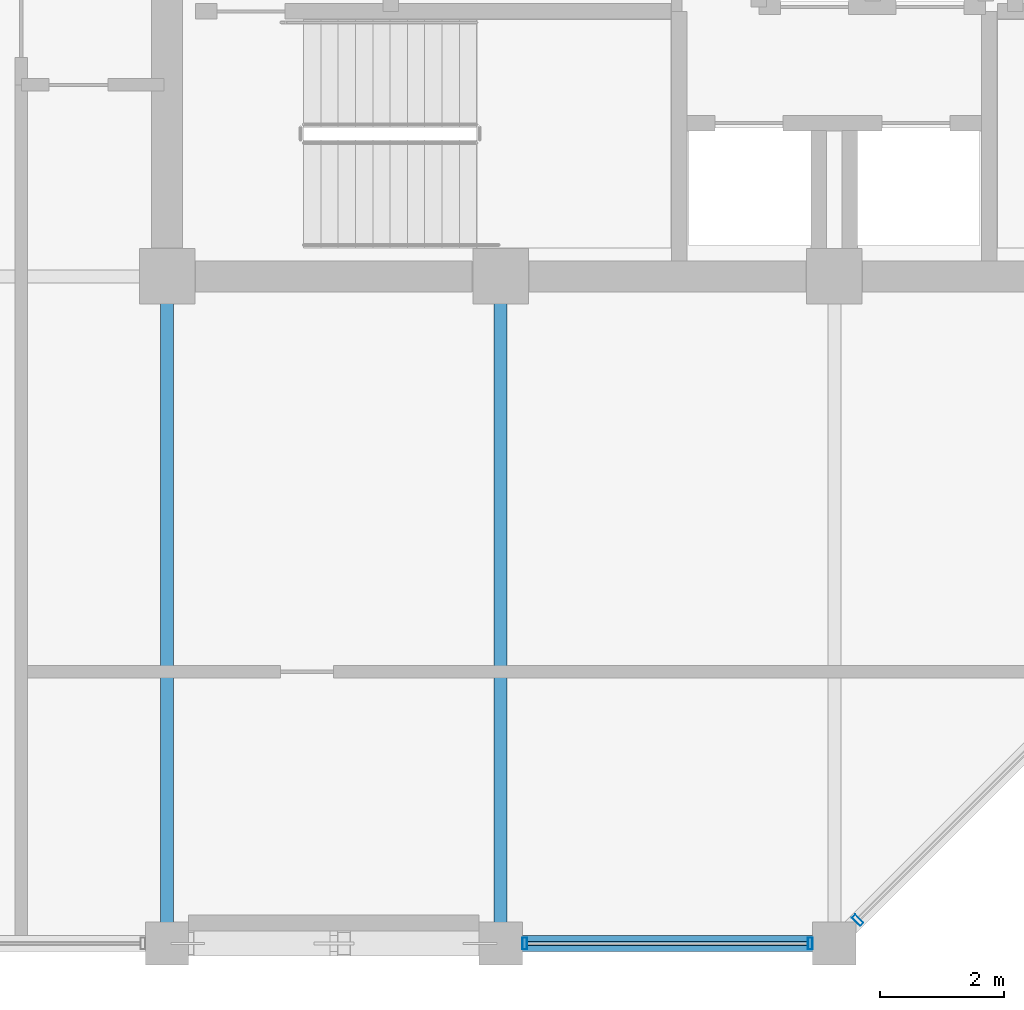
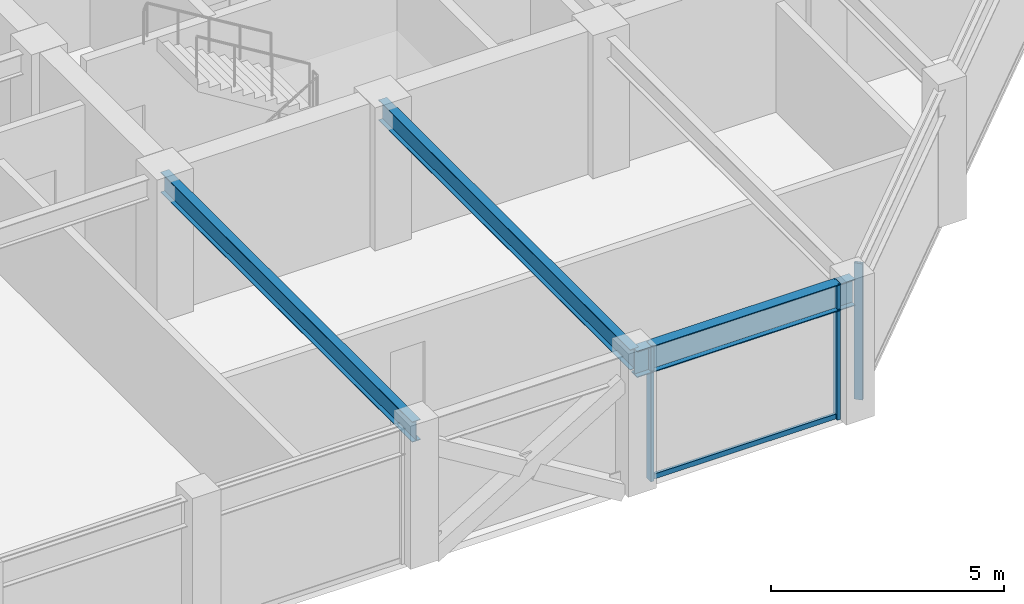
# One storey, part 6 of 30: 4 members, 3 beams, 2 elements without a shape of their own.
"""IFC4 building model written with IfcOpenShell, lengths in metres."""

from ifc_helpers import new_model, si_unit, direction, frame, origin, origin_2d, place, context, subcontext, project, spatial, hollow_rectangle, i_section, extrude, material, layer, layer_set, material_profile, profile_set, type_object, element, aggregate, save


model = new_model("IFC4")

# Units and contexts
model_context = context("Model", 3, precision=1e-05, world=origin(), true_north=direction((0.0, 1.0)))
body_context = subcontext(model_context, "Body", "Model", "MODEL_VIEW")
ifc_project = project(units=[si_unit("LENGTHUNIT", "METRE"), si_unit("AREAUNIT", "SQUARE_METRE"), si_unit("VOLUMEUNIT", "CUBIC_METRE"), si_unit("PLANEANGLEUNIT", "RADIAN"), si_unit("MASSUNIT", "GRAM", prefix="KILO")], contexts=[model_context])

# Site, building, storey
site_placement = place(None, origin())
site = spatial("IfcSite", under=ifc_project, at=site_placement, CompositionType="ELEMENT")
building_placement = place(site_placement, origin())
building = spatial("IfcBuilding", under=site, at=building_placement, Name="Surkhivell Harbour Commons", CompositionType="ELEMENT")
storey_placement = place(building_placement, frame((0.0, 0.0, 300.0)))
storey = spatial("IfcBuildingStorey", under=building, at=storey_placement, Name="L78", CompositionType="ELEMENT", Elevation=300.0)

# Beams
ifc_material_1 = material(Name="Steel S355", Category="steel")
ifc_material_profile_1 = material_profile(ifc_material_1, i_section(OverallWidth=0.2099609375, OverallDepth=0.537109375, WebThickness=0.0107421875, FlangeThickness=0.017333984375, at=origin_2d()), Name="UB533x210x101")
ifc_profile_set_1 = profile_set([ifc_material_profile_1], Name="Steel S355")
beam_type_1 = type_object("IfcBeamType", Name="BM-GRD-533B", PredefinedType="BEAM", material=ifc_profile_set_1)
for number, where, z_axis, x_axis, name in (
    (1, (-10.800048828125, -21.60009765625, 3.301513671875), (0.0, 1.0, 0.0), (-1.0, 0.0, 0.0), "L78 Floor Girder (-10.8,-21.6)"),
    (2, (-5.39990234375, -21.60009765625, 3.301513671875), (0.0, 1.0, 0.0), (-1.0, 0.0, 0.0), "L78 Floor Girder (-5.4,-21.6)"),
):
    element("IfcBeam", number, at=place(storey_placement, frame(where, z_axis=z_axis, x_axis=x_axis)), inside=storey, type_object=beam_type_1, Name=name, PredefinedType="BEAM", context=body_context, shape_type="SweptSolid", body=[
        extrude(i_section(OverallWidth=0.2099609375, OverallDepth=0.537109375, WebThickness=0.0107421875, FlangeThickness=0.017333984375, at=origin_2d()), origin(), (0.0, 0.0, 1.0), 10.800048828125),
    ])
ifc_material_profile_2 = material_profile(ifc_material_1, i_section(OverallWidth=0.256103515625, OverallDepth=0.693115234375, WebThickness=0.014404296875, FlangeThickness=0.023681640625, at=origin_2d()), Name="UB686x254x170")
ifc_profile_set_2 = profile_set([ifc_material_profile_2], Name="Steel S355")
beam_type_2 = type_object("IfcBeamType", Name="BM-SPN-686", PredefinedType="SPANDREL", material=ifc_profile_set_2)
beam_placement = place(storey_placement, frame((-5.39990234375, -21.60009765625, 3.223388671875), z_axis=(1.0, 0.0, 0.0), x_axis=(0.0, 1.0, 0.0)))
element("IfcBeam", 3, at=beam_placement, inside=storey, type_object=beam_type_2, Name="L78 Tube Spandrel (-5.4,-21.6)", PredefinedType="SPANDREL", context=body_context, shape_type="SweptSolid", body=[
    extrude(i_section(OverallWidth=0.256103515625, OverallDepth=0.693115234375, WebThickness=0.014404296875, FlangeThickness=0.023681640625, at=origin_2d()), origin(), (0.0, 0.0, 1.0), 5.39990234375),
])

# Curtain wall, members
ifc_material_2 = material(Name="Anodised pale-metal aluminium and insulated glazing", Category="aluminium")
ifc_layer = layer(ifc_material_2, 0.175048828125)
ifc_layer_set = layer_set([ifc_layer], Name="Anodised pale-metal aluminium and insulated glazing")
curtain_wall_type = type_object("IfcCurtainWallType", Name="CW-SYS-Z4", PredefinedType="NOTDEFINED", material=ifc_layer_set)
curtain_wall_1_placement = place(storey_placement, origin())
curtain_wall_1 = element("IfcCurtainWall", 4, at=curtain_wall_1_placement, inside=storey, type_object=curtain_wall_type, Name="L78 Curtain Wall CW-L78-E00S2", PredefinedType="NOTDEFINED")
ifc_material_3 = material(Name="Anodised pale-metal aluminium alloy 6063-T6", Category="aluminium")
ifc_material_profile_3 = material_profile(ifc_material_3, hollow_rectangle(XDim=0.074951171875, YDim=0.18994140625, WallThickness=0.00390625, at=origin_2d()), Name="ALU-MULL-75x190")
ifc_profile_set_3 = profile_set([ifc_material_profile_3], Name="Anodised pale-metal aluminium alloy 6063-T6")
member_type_1 = type_object("IfcMemberType", Name="CWM-190", PredefinedType="MULLION", material=ifc_profile_set_3)
member_1_placement = place(storey_placement, frame((-5.010498046875, -21.60009765625, 0.0), z_axis=(0.0, 0.0, 1.0), x_axis=(1.0, 0.0, 0.0)))
member_1 = element("IfcMember", 5, at=member_1_placement, type_object=member_type_1, Name="CW-Z4 mullion 1", PredefinedType="MULLION", context=body_context, shape_type="SweptSolid", body=[
    extrude(hollow_rectangle(XDim=0.074951171875, YDim=0.18994140625, WallThickness=0.00390625, at=origin_2d()), origin(), (0.0, 0.0, 1.0), 3.570068359375),
])
member_2_placement = place(storey_placement, frame((-0.389404296875, -21.60009765625, 0.0), z_axis=(0.0, 0.0, 1.0), x_axis=(1.0, 0.0, 0.0)))
member_2 = element("IfcMember", 6, at=member_2_placement, type_object=member_type_1, Name="CW-Z4 mullion 2", PredefinedType="MULLION", context=body_context, shape_type="SweptSolid", body=[
    extrude(hollow_rectangle(XDim=0.074951171875, YDim=0.18994140625, WallThickness=0.00390625, at=origin_2d()), origin(), (0.0, 0.0, 1.0), 3.570068359375),
])

# Curtain wall, member
curtain_wall_2_placement = place(storey_placement, origin())
curtain_wall_2 = element("IfcCurtainWall", 7, at=curtain_wall_2_placement, inside=storey, type_object=curtain_wall_type, Name="L78 Curtain Wall CW-L78-E01", PredefinedType="NOTDEFINED")
member_3_placement = place(storey_placement, frame((0.378173828125, -21.221923828125, 0.0), z_axis=(0.0, 0.0, 1.0), x_axis=(0.707106781187, 0.707106781187, 0.0)))
member_3 = element("IfcMember", 8, at=member_3_placement, type_object=member_type_1, Name="CW-Z4 mullion 1", PredefinedType="MULLION", context=body_context, shape_type="SweptSolid", body=[
    extrude(hollow_rectangle(XDim=0.074951171875, YDim=0.18994140625, WallThickness=0.00390625, at=origin_2d()), origin(), (0.0, 0.0, 1.0), 3.570068359375),
])
aggregate(curtain_wall_2, [member_3])

# Member
ifc_material_4 = material(Name="Champagne anodised aluminium alloy 6063-T6", Category="aluminium")
ifc_material_profile_4 = material_profile(ifc_material_4, hollow_rectangle(XDim=0.070068359375, YDim=0.1298828125, WallThickness=0.00341796875, at=origin_2d()), Name="ALU-TRAN-70x130")
ifc_profile_set_4 = profile_set([ifc_material_profile_4], Name="Champagne anodised aluminium alloy 6063-T6")
member_type_2 = type_object("IfcMemberType", Name="CWT-130", PredefinedType="USERDEFINED", material=ifc_profile_set_4)
member_4_placement = place(storey_placement, frame((-4.972900390625, -21.60009765625, 0.06494140625), z_axis=(1.0, 0.0, 0.0), x_axis=(0.0, 1.0, 0.0)))
member_4 = element("IfcMember", 9, at=member_4_placement, type_object=member_type_2, Name="CW-Z4 transom 1.1", ObjectType="TRANSOM", PredefinedType="USERDEFINED", context=body_context, shape_type="SweptSolid", body=[
    extrude(hollow_rectangle(XDim=0.070068359375, YDim=0.1298828125, WallThickness=0.00341796875, at=origin_2d()), origin(), (0.0, 0.0, 1.0), 4.5458984375),
])

aggregate(curtain_wall_1, [member_1, member_2, member_4])

save(model, "model.ifc")
